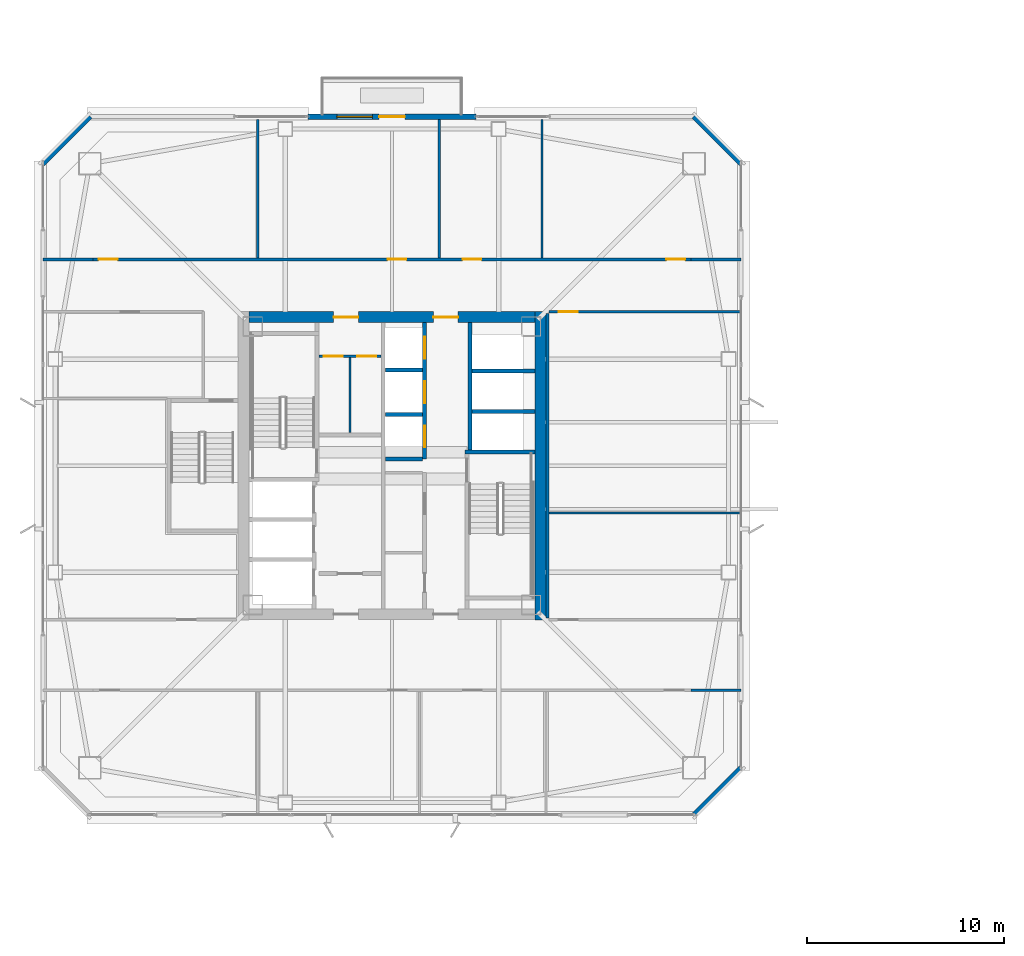
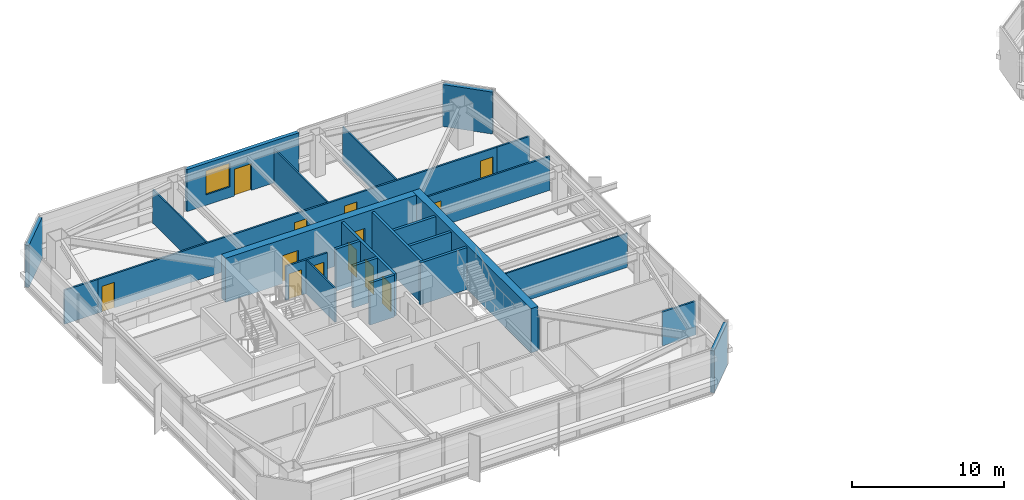
# One storey, part 37 of 46: 26 walls, 13 doors, 1 window, 14 openings.
"""IFC4 building model written with IfcOpenShell, lengths in metres."""

from ifc_helpers import new_model, si_unit, direction, frame, frame_2d, origin, place, context, subcontext, project, spatial, rectangle, extrude, material, layer, layer_set, type_object, element, fill, save


model = new_model("IFC4")

# Units and contexts
model_context = context("Model", 3, precision=1e-05, world=origin(), true_north=direction((0.0, 1.0)))
body_context = subcontext(model_context, "Body", "Model", "MODEL_VIEW")
ifc_project = project(units=[si_unit("LENGTHUNIT", "METRE"), si_unit("AREAUNIT", "SQUARE_METRE"), si_unit("VOLUMEUNIT", "CUBIC_METRE"), si_unit("PLANEANGLEUNIT", "RADIAN"), si_unit("MASSUNIT", "GRAM", prefix="KILO")], contexts=[model_context])

# Site, building, storey
site_placement = place(None, origin())
site = spatial("IfcSite", under=ifc_project, at=site_placement, CompositionType="ELEMENT")
building_placement = place(site_placement, origin())
building = spatial("IfcBuilding", under=site, at=building_placement, Name="Tashvorn Skyway Center", CompositionType="ELEMENT")
storey_placement = place(building_placement, frame((0.0, 0.0, 167.64990234375)))
storey = spatial("IfcBuildingStorey", under=building, at=storey_placement, Name="L45", CompositionType="ELEMENT", Elevation=167.64990234375)

# Wall
ifc_material_1 = material(Name="Concrete C60/75", Category="concrete")
ifc_layer_1 = layer(ifc_material_1, 0.550048828125)
ifc_layer_set_1 = layer_set([ifc_layer_1], Name="Concrete C60/75")
wall_type_1 = type_object("IfcWallType", Name="WALL-CORE-550", PredefinedType="SHEAR", material=ifc_layer_set_1)
wall_1_placement = place(storey_placement, frame((49.52490234375, 39.800048828125, 0.0), z_axis=(0.0, 0.0, 1.0), x_axis=(0.0, -1.0, 0.0)))
element("IfcWall", 1, at=wall_1_placement, inside=storey, type_object=wall_type_1, Name="Tower 1 L45 East Core Shear Wall", PredefinedType="SHEAR", context=body_context, shape_type="SweptSolid", body=[
    extrude(rectangle(XDim=15.60009765625, YDim=0.550048828125, at=frame_2d((7.800048828125, 0.0))), origin(), (0.0, 0.0, 1.0), 3.550048828125),
])

# Wall, openings, doors
wall_2_placement = place(storey_placement, frame((34.75, 39.52490234375, 0.0), z_axis=(0.0, 0.0, 1.0), x_axis=(1.0, 0.0, 0.0)))
wall_2 = element("IfcWall", 2, at=wall_2_placement, inside=storey, type_object=wall_type_1, Name="Tower 1 L45 North Core Shear Wall", PredefinedType="SHEAR", context=body_context, shape_type="SweptSolid", body=[
    extrude(rectangle(XDim=14.5, YDim=0.550048828125, at=frame_2d((7.25, 0.0))), origin(), (0.0, 0.0, 1.0), 3.550048828125),
])
opening_1_placement = place(wall_2_placement, frame((4.300048828125, 0.0, 0.0)))
opening_1 = element("IfcOpeningElement", 3, at=opening_1_placement, cuts=wall_2, Name="Opening D-FFL-1250", PredefinedType="OPENING", context=body_context, shape_type="SweptSolid", body=[
    extrude(rectangle(XDim=1.25, YDim=2.25, at=frame_2d((0.625, 1.125))), frame((0.0, 0.284912109375, 0.0), z_axis=(0.0, -1.0, 0.0), x_axis=(1.0, 0.0, 0.0)), (0.0, 0.0, 1.0), 0.570068359375),
])
opening_2_placement = place(wall_2_placement, frame((9.35009765625, 0.0, 0.0)))
opening_2 = element("IfcOpeningElement", 4, at=opening_2_placement, cuts=wall_2, Name="Opening D-FFL-1250", PredefinedType="OPENING", context=body_context, shape_type="SweptSolid", body=[
    extrude(rectangle(XDim=1.25, YDim=2.25, at=frame_2d((0.625, 1.125))), frame((0.0, 0.284912109375, 0.0), z_axis=(0.0, -1.0, 0.0), x_axis=(1.0, 0.0, 0.0)), (0.0, 0.0, 1.0), 0.570068359375),
])
ifc_material_2 = material(Name="Hollow galvanized steel fire door assembly", Category="steel")
door_type_1 = type_object("IfcDoorType", Name="DOOR-FFL-1250", OperationType="NOTDEFINED", PredefinedType="DOOR", material=ifc_material_2)
door_1_placement = place(opening_1_placement, origin())
door_1 = element("IfcDoor", 5, at=door_1_placement, inside=storey, type_object=door_type_1, Name="Tower 1 L45 Core North Service Lobby Door", OperationType="SINGLE_SWING_LEFT", OverallHeight=2.25, OverallWidth=1.25, PredefinedType="DOOR", context=body_context, shape_type="SweptSolid", body=[
    extrude(rectangle(XDim=1.25, YDim=2.25, at=frame_2d((0.625, 1.125))), frame((0.0, 0.02490234375, 0.0), z_axis=(0.0, -1.0, 0.0), x_axis=(1.0, 0.0, 0.0)), (0.0, 0.0, 1.0), 0.050048828125),
])
fill(opening_1, door_1)
door_2_placement = place(opening_2_placement, origin())
door_2 = element("IfcDoor", 6, at=door_2_placement, inside=storey, type_object=door_type_1, Name="Tower 1 L45 Core North Lift Lobby Door", OperationType="SINGLE_SWING_RIGHT", OverallHeight=2.25, OverallWidth=1.25, PredefinedType="DOOR", context=body_context, shape_type="SweptSolid", body=[
    extrude(rectangle(XDim=1.25, YDim=2.25, at=frame_2d((0.625, 1.125))), frame((0.0, 0.02490234375, 0.0), z_axis=(0.0, -1.0, 0.0), x_axis=(1.0, 0.0, 0.0)), (0.0, 0.0, 1.0), 0.050048828125),
])
fill(opening_2, door_2)

# Wall, openings, door, window
ifc_material_3 = material(Name="Precast concrete C40/50", Category="concrete")
ifc_layer_2 = layer(ifc_material_3, 0.280029296875)
ifc_layer_set_2 = layer_set([ifc_layer_2], Name="Precast concrete C40/50")
wall_type_2 = type_object("IfcWallType", Name="WALL-EXT-280", PredefinedType="SOLIDWALL", material=ifc_layer_set_2)
wall_3_placement = place(storey_placement, frame((37.75, 49.679931640625, 0.0), z_axis=(0.0, 0.0, 1.0), x_axis=(1.0, 0.0, 0.0)))
wall_3 = element("IfcWall", 7, at=wall_3_placement, inside=storey, type_object=wall_type_2, Name="Tower 1 L45 North Terrace Portal Wall", PredefinedType="SOLIDWALL", context=body_context, shape_type="SweptSolid", body=[
    extrude(rectangle(XDim=8.5, YDim=0.280029296875, at=frame_2d((4.25, 0.0))), origin(), (0.0, 0.0, 1.0), 3.3701171875),
])
opening_3_placement = place(wall_3_placement, frame((3.60009765625, 0.0, 0.0)))
opening_3 = element("IfcOpeningElement", 8, at=opening_3_placement, cuts=wall_3, Name="Opening D-TER-1300", PredefinedType="OPENING", context=body_context, shape_type="SweptSolid", body=[
    extrude(rectangle(XDim=1.300048828125, YDim=2.14990234375, at=frame_2d((0.64990234375, 1.074951171875))), frame((0.0, 0.14990234375, 0.0), z_axis=(0.0, -1.0, 0.0), x_axis=(1.0, 0.0, 0.0)), (0.0, 0.0, 1.0), 0.300048828125),
])
opening_4_placement = place(wall_3_placement, frame((1.4599609375, 0.0, 0.85009765625)))
opening_4 = element("IfcOpeningElement", 9, at=opening_4_placement, cuts=wall_3, Name="Opening WIN-1800", PredefinedType="OPENING", context=body_context, shape_type="SweptSolid", body=[
    extrude(rectangle(XDim=1.800048828125, YDim=1.919921875, at=frame_2d((0.89990234375, 0.9599609375))), frame((0.0, 0.14990234375, 0.0), z_axis=(0.0, -1.0, 0.0), x_axis=(1.0, 0.0, 0.0)), (0.0, 0.0, 1.0), 0.300048828125),
])
ifc_material_4 = material(Name="Thermally broken bronze-anodized aluminium 6063-T6", Category="aluminium")
door_type_2 = type_object("IfcDoorType", Name="DOOR-TERR-1300", OperationType="NOTDEFINED", PredefinedType="DOOR", material=ifc_material_4)
door_3_placement = place(opening_3_placement, origin())
door_3 = element("IfcDoor", 10, at=door_3_placement, inside=storey, type_object=door_type_2, Name="Tower 1 L45 Terrace Access Door", OperationType="SINGLE_SWING_LEFT", OverallHeight=2.14990234375, OverallWidth=1.300048828125, PredefinedType="DOOR", context=body_context, shape_type="SweptSolid", body=[
    extrude(rectangle(XDim=1.300048828125, YDim=2.14990234375, at=frame_2d((0.64990234375, 1.074951171875))), frame((0.0, 0.02490234375, 0.0), z_axis=(0.0, -1.0, 0.0), x_axis=(1.0, 0.0, 0.0)), (0.0, 0.0, 1.0), 0.050048828125),
])
fill(opening_3, door_3)
ifc_material_5 = material(Name="Low-E solar-control double insulating safety glass", Category="glass")
window_type = type_object("IfcWindowType", Name="WIN-TERR-1800", PartitioningType="SINGLE_PANEL", PredefinedType="WINDOW", material=ifc_material_5)
window_placement = place(opening_4_placement, origin())
window = element("IfcWindow", 11, at=window_placement, inside=storey, type_object=window_type, Name="Tower 1 L45 Terrace Window", OverallHeight=1.919921875, OverallWidth=1.800048828125, PartitioningType="SINGLE_PANEL", PredefinedType="WINDOW", context=body_context, shape_type="SweptSolid", body=[
    extrude(rectangle(XDim=1.800048828125, YDim=1.919921875, at=frame_2d((0.89990234375, 0.9599609375))), frame((0.0, 0.030029296875, 0.0), z_axis=(0.0, -1.0, 0.0), x_axis=(1.0, 0.0, 0.0)), (0.0, 0.0, 1.0), 0.06005859375),
])
fill(opening_4, window)

# Walls
for number, where, z_axis, x_axis, name in (
    (12, (24.300048828125, 47.300048828125, 0.0), (0.0, 0.0, 1.0), (0.707106781187, 0.707106781187, 0.0), "Tower 1 L45 NW Precast Chamfer Wall"),
    (13, (57.300048828125, 49.699951171875, 0.0), (0.0, 0.0, 1.0), (0.707106781187, -0.707106781187, 0.0), "Tower 1 L45 NE Precast Chamfer Wall"),
    (14, (59.699951171875, 16.699951171875, 0.0), (0.0, 0.0, 1.0), (-0.707106781187, -0.707106781187, 0.0), "Tower 1 L45 SE Precast Chamfer Wall"),
):
    element("IfcWall", number, at=place(storey_placement, frame(where, z_axis=z_axis, x_axis=x_axis)), inside=storey, type_object=wall_type_2, Name=name, PredefinedType="SOLIDWALL", context=body_context, shape_type="SweptSolid", body=[
        extrude(rectangle(XDim=3.39404296875, YDim=0.280029296875, at=frame_2d((1.697021484375, 0.0))), origin(), (0.0, 0.0, 1.0), 3.3701171875),
    ])
ifc_material_6 = material(Name="Gypsum board on cold-formed steel stud framing", Category="steel")
ifc_layer_3 = layer(ifc_material_6, 0.110107421875)
ifc_layer_set_3 = layer_set([ifc_layer_3], Name="Gypsum board on cold-formed steel stud framing")
wall_type_3 = type_object("IfcWallType", Name="WALL-PART-110", PredefinedType="PARTITIONING", material=ifc_layer_set_3)
for number, where, z_axis, x_axis, name in (
    (15, (35.199951171875, 42.530029296875, 0.0), (0.0, 0.0, 1.0), (0.0, 1.0, 0.0), "Tower 1 L45 North Suite Partition 1"),
    (16, (44.39990234375, 42.530029296875, 0.0), (0.0, 0.0, 1.0), (0.0, 1.0, 0.0), "Tower 1 L45 North Suite Partition 2"),
    (17, (49.60009765625, 42.530029296875, 0.0), (0.0, 0.0, 1.0), (0.0, 1.0, 0.0), "Tower 1 L45 North Suite Partition 3"),
):
    element("IfcWall", number, at=place(storey_placement, frame(where, z_axis=z_axis, x_axis=x_axis)), inside=storey, type_object=wall_type_3, Name=name, PredefinedType="PARTITIONING", context=body_context, shape_type="SweptSolid", body=[
        extrude(rectangle(XDim=7.0, YDim=0.110107421875, at=frame_2d((3.5, 0.0))), origin(), (0.0, 0.0, 1.0), 2.72314453125),
    ])
wall_4_placement = place(storey_placement, frame((49.9599609375, 29.60009765625, 0.0), z_axis=(0.0, 0.0, 1.0), x_axis=(1.0, 0.0, 0.0)))
element("IfcWall", 18, at=wall_4_placement, inside=storey, type_object=wall_type_3, Name="Tower 1 L45 East Mid Partition", PredefinedType="PARTITIONING", context=body_context, shape_type="SweptSolid", body=[
    extrude(rectangle(XDim=9.719970703125, YDim=0.110107421875, at=frame_2d((4.85986328125, 0.0))), origin(), (0.0, 0.0, 1.0), 2.72314453125),
])

# Wall, openings, doors
ifc_layer_4 = layer(ifc_material_6, 0.135009765625)
ifc_layer_set_4 = layer_set([ifc_layer_4], Name="Gypsum board on cold-formed steel stud framing")
wall_type_4 = type_object("IfcWallType", Name="WALL-PART-135", PredefinedType="PARTITIONING", material=ifc_layer_set_4)
wall_5_placement = place(storey_placement, frame((26.85009765625, 42.449951171875, 0.0), z_axis=(0.0, 0.0, 1.0), x_axis=(1.0, 0.0, 0.0)))
wall_5 = element("IfcWall", 19, at=wall_5_placement, inside=storey, type_object=wall_type_4, Name="Tower 1 L45 North Suite Wall", PredefinedType="PARTITIONING", context=body_context, shape_type="SweptSolid", body=[
    extrude(rectangle(XDim=30.2998046875, YDim=0.135009765625, at=frame_2d((15.14990234375, 0.0))), origin(), (0.0, 0.0, 1.0), 2.72314453125),
])
opening_5_placement = place(wall_5_placement, frame((0.300048828125, 0.0, 0.0)))
opening_5 = element("IfcOpeningElement", 20, at=opening_5_placement, cuts=wall_5, Name="Opening D-INT-950", PredefinedType="OPENING", context=body_context, shape_type="SweptSolid", body=[
    extrude(rectangle(XDim=0.949951171875, YDim=2.050048828125, at=frame_2d((0.47509765625, 1.02490234375))), frame((0.0, 0.077392578125, 0.0), z_axis=(0.0, -1.0, 0.0), x_axis=(1.0, 0.0, 0.0)), (0.0, 0.0, 1.0), 0.155029296875),
])
opening_6_placement = place(wall_5_placement, frame((14.9287109375, 0.0, 0.0)))
opening_6 = element("IfcOpeningElement", 21, at=opening_6_placement, cuts=wall_5, Name="Opening D-INT-950", PredefinedType="OPENING", context=body_context, shape_type="SweptSolid", body=[
    extrude(rectangle(XDim=0.949951171875, YDim=2.050048828125, at=frame_2d((0.47509765625, 1.02490234375))), frame((0.0, 0.077392578125, 0.0), z_axis=(0.0, -1.0, 0.0), x_axis=(1.0, 0.0, 0.0)), (0.0, 0.0, 1.0), 0.155029296875),
])
opening_7_placement = place(wall_5_placement, frame((18.7353515625, 0.0, 0.0)))
opening_7 = element("IfcOpeningElement", 22, at=opening_7_placement, cuts=wall_5, Name="Opening D-INT-950", PredefinedType="OPENING", context=body_context, shape_type="SweptSolid", body=[
    extrude(rectangle(XDim=0.949951171875, YDim=2.050048828125, at=frame_2d((0.47509765625, 1.02490234375))), frame((0.0, 0.077392578125, 0.0), z_axis=(0.0, -1.0, 0.0), x_axis=(1.0, 0.0, 0.0)), (0.0, 0.0, 1.0), 0.155029296875),
])
opening_8_placement = place(wall_5_placement, frame((29.050048828125, 0.0, 0.0)))
opening_8 = element("IfcOpeningElement", 23, at=opening_8_placement, cuts=wall_5, Name="Opening D-INT-950", PredefinedType="OPENING", context=body_context, shape_type="SweptSolid", body=[
    extrude(rectangle(XDim=0.949951171875, YDim=2.050048828125, at=frame_2d((0.47509765625, 1.02490234375))), frame((0.0, 0.077392578125, 0.0), z_axis=(0.0, -1.0, 0.0), x_axis=(1.0, 0.0, 0.0)), (0.0, 0.0, 1.0), 0.155029296875),
])
ifc_material_7 = material(Name="Solid-core architectural oak veneer door")
door_type_3 = type_object("IfcDoorType", Name="DOOR-INT-950", OperationType="NOTDEFINED", PredefinedType="DOOR", material=ifc_material_7)
door_4_placement = place(opening_5_placement, origin())
door_4 = element("IfcDoor", 24, at=door_4_placement, inside=storey, type_object=door_type_3, Name="Tower 1 L45 Gallery Showroom Door", OperationType="SINGLE_SWING_RIGHT", OverallHeight=2.050048828125, OverallWidth=0.949951171875, PredefinedType="DOOR", context=body_context, shape_type="SweptSolid", body=[
    extrude(rectangle(XDim=0.949951171875, YDim=2.050048828125, at=frame_2d((0.47509765625, 1.02490234375))), frame((0.0, 0.02490234375, 0.0), z_axis=(0.0, -1.0, 0.0), x_axis=(1.0, 0.0, 0.0)), (0.0, 0.0, 1.0), 0.050048828125),
])
fill(opening_5, door_4)
door_5_placement = place(opening_6_placement, origin())
door_5 = element("IfcDoor", 25, at=door_5_placement, inside=storey, type_object=door_type_3, Name="Tower 1 L45 Gallery Showroom Door", OperationType="SINGLE_SWING_LEFT", OverallHeight=2.050048828125, OverallWidth=0.949951171875, PredefinedType="DOOR", context=body_context, shape_type="SweptSolid", body=[
    extrude(rectangle(XDim=0.949951171875, YDim=2.050048828125, at=frame_2d((0.47509765625, 1.02490234375))), frame((0.0, 0.02490234375, 0.0), z_axis=(0.0, -1.0, 0.0), x_axis=(1.0, 0.0, 0.0)), (0.0, 0.0, 1.0), 0.050048828125),
])
fill(opening_6, door_5)
door_6_placement = place(opening_7_placement, origin())
door_6 = element("IfcDoor", 26, at=door_6_placement, inside=storey, type_object=door_type_3, Name="Tower 1 L45 Reading Lounge Door", OperationType="SINGLE_SWING_RIGHT", OverallHeight=2.050048828125, OverallWidth=0.949951171875, PredefinedType="DOOR", context=body_context, shape_type="SweptSolid", body=[
    extrude(rectangle(XDim=0.949951171875, YDim=2.050048828125, at=frame_2d((0.47509765625, 1.02490234375))), frame((0.0, 0.02490234375, 0.0), z_axis=(0.0, -1.0, 0.0), x_axis=(1.0, 0.0, 0.0)), (0.0, 0.0, 1.0), 0.050048828125),
])
fill(opening_7, door_6)
door_7_placement = place(opening_8_placement, origin())
door_7 = element("IfcDoor", 27, at=door_7_placement, inside=storey, type_object=door_type_3, Name="Tower 1 L45 Conference Room Door", OperationType="SINGLE_SWING_LEFT", OverallHeight=2.050048828125, OverallWidth=0.949951171875, PredefinedType="DOOR", context=body_context, shape_type="SweptSolid", body=[
    extrude(rectangle(XDim=0.949951171875, YDim=2.050048828125, at=frame_2d((0.47509765625, 1.02490234375))), frame((0.0, 0.02490234375, 0.0), z_axis=(0.0, -1.0, 0.0), x_axis=(1.0, 0.0, 0.0)), (0.0, 0.0, 1.0), 0.050048828125),
])
fill(opening_8, door_7)

# Walls
for number, where, z_axis, x_axis, name in (
    (28, (24.320068359375, 42.449951171875, 0.0), (0.0, 0.0, 1.0), (1.0, 0.0, 0.0), "Tower 1 L45 North-West Suite South Wall"),
    (29, (57.14990234375, 42.449951171875, 0.0), (0.0, 0.0, 1.0), (1.0, 0.0, 0.0), "Tower 1 L45 North-East Suite South Wall"),
    (30, (57.14990234375, 20.6298828125, 0.0), (0.0, 0.0, 1.0), (1.0, 0.0, 0.0), "Tower 1 L45 South-East Suite North Wall"),
):
    element("IfcWall", number, at=place(storey_placement, frame(where, z_axis=z_axis, x_axis=x_axis)), inside=storey, type_object=wall_type_4, Name=name, PredefinedType="PARTITIONING", context=body_context, shape_type="SweptSolid", body=[
        extrude(rectangle(XDim=2.530029296875, YDim=0.135009765625, at=frame_2d((1.26513671875, 0.0))), origin(), (0.0, 0.0, 1.0), 2.72314453125),
    ])
wall_6_placement = place(storey_placement, frame((49.8798828125, 39.719970703125, 0.0), z_axis=(0.0, 0.0, 1.0), x_axis=(0.0, -1.0, 0.0)))
element("IfcWall", 31, at=wall_6_placement, inside=storey, type_object=wall_type_4, Name="Tower 1 L45 East Inner Suite Wall", PredefinedType="PARTITIONING", context=body_context, shape_type="SweptSolid", body=[
    extrude(rectangle(XDim=15.43994140625, YDim=0.135009765625, at=frame_2d((7.719970703125, 0.0))), origin(), (0.0, 0.0, 1.0), 2.72314453125),
])

# Wall, opening, door
wall_7_placement = place(storey_placement, frame((59.679931640625, 39.800048828125, 0.0), z_axis=(0.0, 0.0, 1.0), x_axis=(-1.0, 0.0, 0.0)))
wall_7 = element("IfcWall", 32, at=wall_7_placement, inside=storey, type_object=wall_type_4, Name="Tower 1 L45 East Suite North Wall", PredefinedType="PARTITIONING", context=body_context, shape_type="SweptSolid", body=[
    extrude(rectangle(XDim=9.719970703125, YDim=0.135009765625, at=frame_2d((4.85986328125, 0.0))), origin(), (0.0, 0.0, 1.0), 2.72314453125),
])
opening_9_placement = place(wall_7_placement, frame((8.280029296875, 0.0, 0.0)))
opening_9 = element("IfcOpeningElement", 33, at=opening_9_placement, cuts=wall_7, Name="Opening D-INT-950", PredefinedType="OPENING", context=body_context, shape_type="SweptSolid", body=[
    extrude(rectangle(XDim=0.949951171875, YDim=2.050048828125, at=frame_2d((0.47509765625, 1.02490234375))), frame((0.0, 0.077392578125, 0.0), z_axis=(0.0, -1.0, 0.0), x_axis=(1.0, 0.0, 0.0)), (0.0, 0.0, 1.0), 0.155029296875),
])
door_8_placement = place(opening_9_placement, origin())
door_8 = element("IfcDoor", 34, at=door_8_placement, inside=storey, type_object=door_type_3, Name="Tower 1 L45 Conference Room Door", OperationType="SINGLE_SWING_RIGHT", OverallHeight=2.050048828125, OverallWidth=0.949951171875, PredefinedType="DOOR", context=body_context, shape_type="SweptSolid", body=[
    extrude(rectangle(XDim=0.949951171875, YDim=2.050048828125, at=frame_2d((0.47509765625, 1.02490234375))), frame((0.0, 0.02490234375, 0.0), z_axis=(0.0, -1.0, 0.0), x_axis=(1.0, 0.0, 0.0)), (0.0, 0.0, 1.0), 0.050048828125),
])
fill(opening_9, door_8)

# Wall
ifc_layer_5 = layer(ifc_material_6, 0.110107421875)
ifc_layer_set_5 = layer_set([ifc_layer_5], Name="Gypsum board on cold-formed steel stud framing")
wall_type_5 = type_object("IfcWallType", Name="WALL-RATED-110", PredefinedType="PARTITIONING", material=ifc_layer_set_5)
wall_8_placement = place(storey_placement, frame((39.8798828125, 33.679931640625, 0.0), z_axis=(0.0, 0.0, 1.0), x_axis=(0.0, 1.0, 0.0)))
element("IfcWall", 35, at=wall_8_placement, inside=storey, type_object=wall_type_5, Name="Tower 1 L45 Core Split Partition", PredefinedType="PARTITIONING", context=body_context, shape_type="SweptSolid", body=[
    extrude(rectangle(XDim=3.800048828125, YDim=0.110107421875, at=frame_2d((1.89990234375, 0.0))), origin(), (0.0, 0.0, 1.0), 2.72314453125),
])

# Wall, openings, doors
ifc_layer_6 = layer(ifc_material_6, 0.135009765625)
ifc_layer_set_6 = layer_set([ifc_layer_6], Name="Gypsum board on cold-formed steel stud framing")
wall_type_6 = type_object("IfcWallType", Name="WALL-RATED-135", PredefinedType="PARTITIONING", material=ifc_layer_set_6)
wall_9_placement = place(storey_placement, frame((38.300048828125, 37.550048828125, 0.0), z_axis=(0.0, 0.0, 1.0), x_axis=(1.0, 0.0, 0.0)))
wall_9 = element("IfcWall", 36, at=wall_9_placement, inside=storey, type_object=wall_type_6, Name="Tower 1 L45 Core Service Lobby Wall", PredefinedType="PARTITIONING", context=body_context, shape_type="SweptSolid", body=[
    extrude(rectangle(XDim=3.14990234375, YDim=0.135009765625, at=frame_2d((1.574951171875, 0.0))), origin(), (0.0, 0.0, 1.0), 2.72314453125),
])
opening_10_placement = place(wall_9_placement, frame((0.25, 0.0, 0.0)))
opening_10 = element("IfcOpeningElement", 37, at=opening_10_placement, cuts=wall_9, Name="Opening D-RT-950", PredefinedType="OPENING", context=body_context, shape_type="SweptSolid", body=[
    extrude(rectangle(XDim=0.949951171875, YDim=2.050048828125, at=frame_2d((0.47509765625, 1.02490234375))), frame((0.0, 0.077392578125, 0.0), z_axis=(0.0, -1.0, 0.0), x_axis=(1.0, 0.0, 0.0)), (0.0, 0.0, 1.0), 0.155029296875),
])
opening_11_placement = place(wall_9_placement, frame((1.949951171875, 0.0, 0.0)))
opening_11 = element("IfcOpeningElement", 38, at=opening_11_placement, cuts=wall_9, Name="Opening D-RT-950", PredefinedType="OPENING", context=body_context, shape_type="SweptSolid", body=[
    extrude(rectangle(XDim=0.949951171875, YDim=2.050048828125, at=frame_2d((0.47509765625, 1.02490234375))), frame((0.0, 0.077392578125, 0.0), z_axis=(0.0, -1.0, 0.0), x_axis=(1.0, 0.0, 0.0)), (0.0, 0.0, 1.0), 0.155029296875),
])
door_type_4 = type_object("IfcDoorType", Name="DOOR-RATED-950", OperationType="NOTDEFINED", PredefinedType="DOOR", material=ifc_material_2)
door_9_placement = place(opening_10_placement, origin())
door_9 = element("IfcDoor", 39, at=door_9_placement, inside=storey, type_object=door_type_4, Name="Tower 1 L45 Core Accessible WC Door", OperationType="SINGLE_SWING_LEFT", OverallHeight=2.050048828125, OverallWidth=0.949951171875, PredefinedType="DOOR", context=body_context, shape_type="SweptSolid", body=[
    extrude(rectangle(XDim=0.949951171875, YDim=2.050048828125, at=frame_2d((0.47509765625, 1.02490234375))), frame((0.0, 0.02490234375, 0.0), z_axis=(0.0, -1.0, 0.0), x_axis=(1.0, 0.0, 0.0)), (0.0, 0.0, 1.0), 0.050048828125),
])
fill(opening_10, door_9)
door_10_placement = place(opening_11_placement, origin())
door_10 = element("IfcDoor", 40, at=door_10_placement, inside=storey, type_object=door_type_4, Name="Tower 1 L45 Core Cleaner Store Door", OperationType="SINGLE_SWING_RIGHT", OverallHeight=2.050048828125, OverallWidth=0.949951171875, PredefinedType="DOOR", context=body_context, shape_type="SweptSolid", body=[
    extrude(rectangle(XDim=0.949951171875, YDim=2.050048828125, at=frame_2d((0.47509765625, 1.02490234375))), frame((0.0, 0.02490234375, 0.0), z_axis=(0.0, -1.0, 0.0), x_axis=(1.0, 0.0, 0.0)), (0.0, 0.0, 1.0), 0.050048828125),
])
fill(opening_11, door_10)

# Walls
ifc_material_8 = material(Name="Concrete C40/50", Category="concrete")
ifc_layer_7 = layer(ifc_material_8, 0.199951171875)
ifc_layer_set_7 = layer_set([ifc_layer_7], Name="Concrete C40/50")
wall_type_7 = type_object("IfcWallType", Name="WALL-SHAFT-200", PredefinedType="SOLIDWALL", material=ifc_layer_set_7)
for number, where, z_axis, x_axis, name in (
    (41, (46.050048828125, 34.75, 0.0), (0.0, 0.0, 1.0), (1.0, 0.0, 0.0), "Tower 1 L45 High-Rise Shaft Divider"),
    (42, (46.050048828125, 36.800048828125, 0.0), (0.0, 0.0, 1.0), (1.0, 0.0, 0.0), "Tower 1 L45 High-Rise Shaft Divider"),
):
    element("IfcWall", number, at=place(storey_placement, frame(where, z_axis=z_axis, x_axis=x_axis)), inside=storey, type_object=wall_type_7, Name=name, PredefinedType="SOLIDWALL", context=body_context, shape_type="SweptSolid", body=[
        extrude(rectangle(XDim=3.199951171875, YDim=0.199951171875, at=frame_2d((1.60009765625, 0.0))), origin(), (0.0, 0.0, 1.0), 3.3701171875),
    ])

# Wall, openings, doors
wall_10_placement = place(storey_placement, frame((43.64990234375, 32.35009765625, 0.0), z_axis=(0.0, 0.0, 1.0), x_axis=(0.0, 1.0, 0.0)))
wall_10 = element("IfcWall", 43, at=wall_10_placement, inside=storey, type_object=wall_type_7, Name="Tower 1 L45 Mid-Rise Core Wall", PredefinedType="SOLIDWALL", context=body_context, shape_type="SweptSolid", body=[
    extrude(rectangle(XDim=6.89990234375, YDim=0.199951171875, at=frame_2d((3.449951171875, 0.0))), origin(), (0.0, 0.0, 1.0), 3.3701171875),
])
opening_12_placement = place(wall_10_placement, frame((0.574951171875, 0.0, 0.0)))
opening_12 = element("IfcOpeningElement", 44, at=opening_12_placement, cuts=wall_10, Name="Opening LD-MR-T1-1-L45", PredefinedType="OPENING", context=body_context, shape_type="SweptSolid", body=[
    extrude(rectangle(XDim=1.10009765625, YDim=2.199951171875, at=frame_2d((0.550048828125, 1.10009765625))), frame((0.0, 0.10986328125, 0.0), z_axis=(0.0, -1.0, 0.0), x_axis=(1.0, 0.0, 0.0)), (0.0, 0.0, 1.0), 0.219970703125),
])
opening_13_placement = place(wall_10_placement, frame((2.824951171875, 0.0, 0.0)))
opening_13 = element("IfcOpeningElement", 45, at=opening_13_placement, cuts=wall_10, Name="Opening LD-MR-T1-2-L45", PredefinedType="OPENING", context=body_context, shape_type="SweptSolid", body=[
    extrude(rectangle(XDim=1.10009765625, YDim=2.199951171875, at=frame_2d((0.550048828125, 1.10009765625))), frame((0.0, 0.10986328125, 0.0), z_axis=(0.0, -1.0, 0.0), x_axis=(1.0, 0.0, 0.0)), (0.0, 0.0, 1.0), 0.219970703125),
])
opening_14_placement = place(wall_10_placement, frame((5.074951171875, 0.0, 0.0)))
opening_14 = element("IfcOpeningElement", 46, at=opening_14_placement, cuts=wall_10, Name="Opening LD-MR-T1-3-L45", PredefinedType="OPENING", context=body_context, shape_type="SweptSolid", body=[
    extrude(rectangle(XDim=1.10009765625, YDim=2.199951171875, at=frame_2d((0.550048828125, 1.10009765625))), frame((0.0, 0.10986328125, 0.0), z_axis=(0.0, -1.0, 0.0), x_axis=(1.0, 0.0, 0.0)), (0.0, 0.0, 1.0), 0.219970703125),
])
ifc_material_9 = material(Name="Stainless steel landing door", Category="steel")
door_type_5 = type_object("IfcDoorType", Name="DOOR-LIFT-1100", OperationType="SLIDING_TO_LEFT", PredefinedType="DOOR", material=ifc_material_9)
door_11_placement = place(opening_12_placement, origin())
door_11 = element("IfcDoor", 47, at=door_11_placement, inside=storey, type_object=door_type_5, Name="Lift MR-T1-1 L45 Landing Door", OperationType="SLIDING_TO_LEFT", OverallHeight=2.199951171875, OverallWidth=1.10009765625, PredefinedType="DOOR", context=body_context, shape_type="SweptSolid", body=[
    extrude(rectangle(XDim=1.10009765625, YDim=2.199951171875, at=frame_2d((0.550048828125, 1.10009765625))), frame((0.0, 0.02490234375, 0.0), z_axis=(0.0, -1.0, 0.0), x_axis=(1.0, 0.0, 0.0)), (0.0, 0.0, 1.0), 0.050048828125),
])
fill(opening_12, door_11)
door_12_placement = place(opening_13_placement, origin())
door_12 = element("IfcDoor", 48, at=door_12_placement, inside=storey, type_object=door_type_5, Name="Lift MR-T1-2 L45 Landing Door", OperationType="SLIDING_TO_LEFT", OverallHeight=2.199951171875, OverallWidth=1.10009765625, PredefinedType="DOOR", context=body_context, shape_type="SweptSolid", body=[
    extrude(rectangle(XDim=1.10009765625, YDim=2.199951171875, at=frame_2d((0.550048828125, 1.10009765625))), frame((0.0, 0.02490234375, 0.0), z_axis=(0.0, -1.0, 0.0), x_axis=(1.0, 0.0, 0.0)), (0.0, 0.0, 1.0), 0.050048828125),
])
fill(opening_13, door_12)
door_13_placement = place(opening_14_placement, origin())
door_13 = element("IfcDoor", 49, at=door_13_placement, inside=storey, type_object=door_type_5, Name="Lift MR-T1-3 L45 Landing Door", OperationType="SLIDING_TO_LEFT", OverallHeight=2.199951171875, OverallWidth=1.10009765625, PredefinedType="DOOR", context=body_context, shape_type="SweptSolid", body=[
    extrude(rectangle(XDim=1.10009765625, YDim=2.199951171875, at=frame_2d((0.550048828125, 1.10009765625))), frame((0.0, 0.02490234375, 0.0), z_axis=(0.0, -1.0, 0.0), x_axis=(1.0, 0.0, 0.0)), (0.0, 0.0, 1.0), 0.050048828125),
])
fill(opening_14, door_13)

# Walls
for number, where, z_axis, x_axis, name in (
    (50, (41.669921875, 32.35009765625, 0.0), (0.0, 0.0, 1.0), (1.0, 0.0, 0.0), "Tower 1 L45 Mid-Rise Shaft Divider"),
    (51, (41.669921875, 34.60009765625, 0.0), (0.0, 0.0, 1.0), (1.0, 0.0, 0.0), "Tower 1 L45 Mid-Rise Shaft Divider"),
    (52, (41.669921875, 36.85009765625, 0.0), (0.0, 0.0, 1.0), (1.0, 0.0, 0.0), "Tower 1 L45 Mid-Rise Shaft Divider"),
):
    element("IfcWall", number, at=place(storey_placement, frame(where, z_axis=z_axis, x_axis=x_axis)), inside=storey, type_object=wall_type_7, Name=name, PredefinedType="SOLIDWALL", context=body_context, shape_type="SweptSolid", body=[
        extrude(rectangle(XDim=1.880126953125, YDim=0.199951171875, at=frame_2d((0.93994140625, 0.0))), origin(), (0.0, 0.0, 1.0), 3.3701171875),
    ])
ifc_layer_8 = layer(ifc_material_8, 0.199951171875)
ifc_layer_set_8 = layer_set([ifc_layer_8], Name="Concrete C40/50")
wall_type_8 = type_object("IfcWallType", Name="WALL-STSHF-200", PredefinedType="SHEAR", material=ifc_layer_set_8)
wall_11_placement = place(storey_placement, frame((45.699951171875, 32.699951171875, 0.0), z_axis=(0.0, 0.0, 1.0), x_axis=(1.0, 0.0, 0.0)))
element("IfcWall", 53, at=wall_11_placement, inside=storey, type_object=wall_type_8, Name="Tower 1 L45 Stair 2 North Wall", PredefinedType="SHEAR", context=body_context, shape_type="SweptSolid", body=[
    extrude(rectangle(XDim=3.550048828125, YDim=0.199951171875, at=frame_2d((1.77490234375, 0.0))), origin(), (0.0, 0.0, 1.0), 3.3701171875),
])
wall_12_placement = place(storey_placement, frame((45.949951171875, 39.25, 0.0), z_axis=(0.0, 0.0, 1.0), x_axis=(0.0, -1.0, 0.0)))
element("IfcWall", 54, at=wall_12_placement, inside=storey, type_object=wall_type_8, Name="Tower 1 L45 High-Rise Lift Shaft Front Wall", PredefinedType="SHEAR", context=body_context, shape_type="SweptSolid", body=[
    extrude(rectangle(XDim=6.449951171875, YDim=0.199951171875, at=frame_2d((3.22509765625, 0.0))), origin(), (0.0, 0.0, 1.0), 3.3701171875),
])

save(model, "model.ifc")
